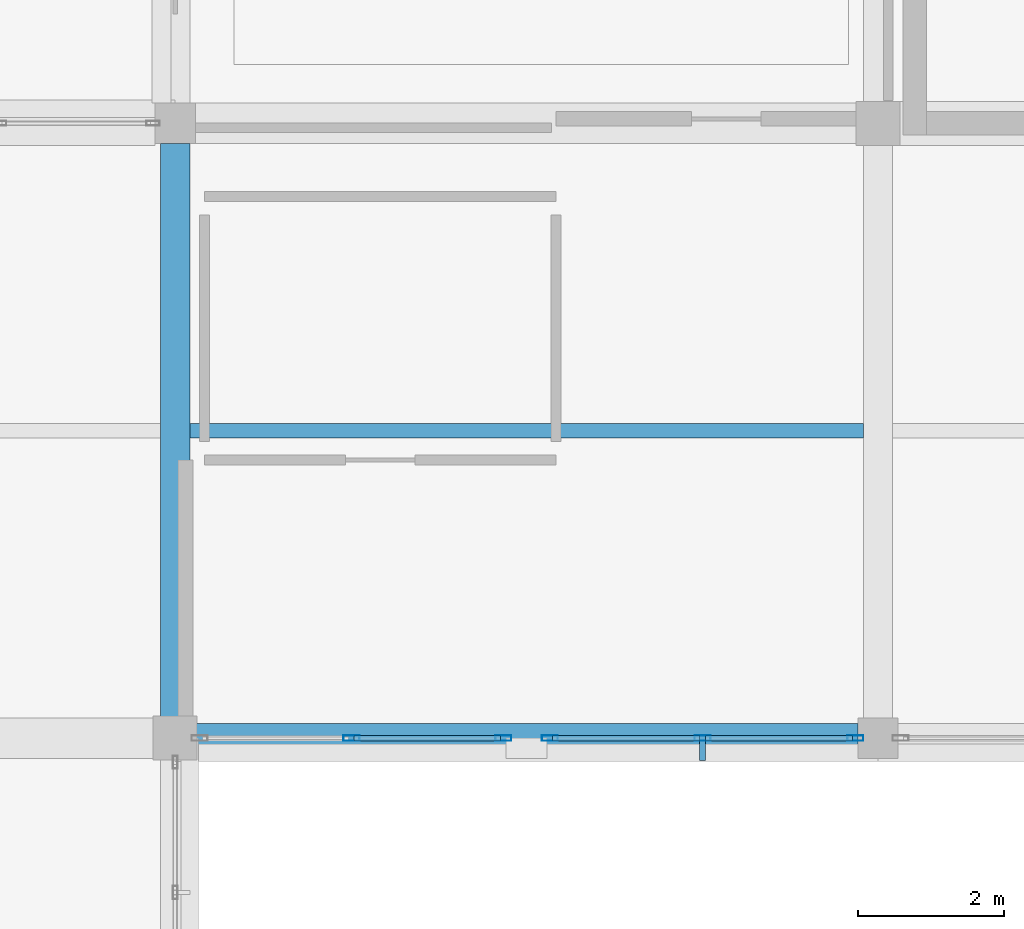
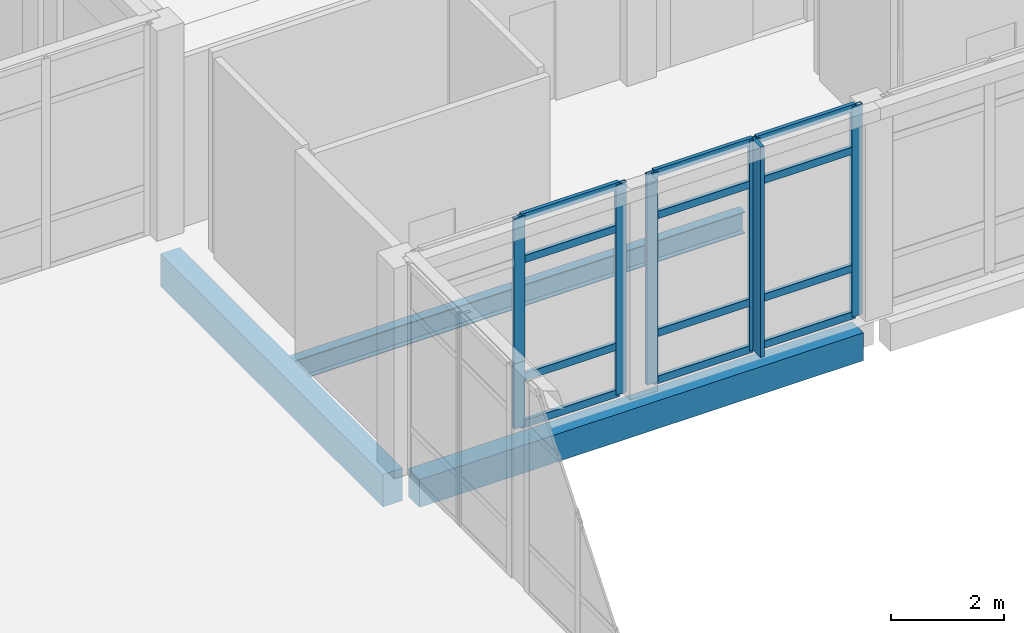
# One storey, part 18 of 88: 18 members, 3 beams, 2 elements without a shape of their own.
"""IFC4 building model written with IfcOpenShell, lengths in metres."""

from ifc_helpers import new_model, si_unit, direction, frame, origin, origin_2d, place, context, subcontext, project, spatial, rectangle, hollow_rectangle, i_section, extrude, material, layer, layer_set, material_profile, profile_set, type_object, element, aggregate, save


model = new_model("IFC4")

# Units and contexts
model_context = context("Model", 3, precision=1e-05, world=origin(), true_north=direction((0.0, 1.0)))
body_context = subcontext(model_context, "Body", "Model", "MODEL_VIEW")
ifc_project = project(units=[si_unit("LENGTHUNIT", "METRE"), si_unit("AREAUNIT", "SQUARE_METRE"), si_unit("VOLUMEUNIT", "CUBIC_METRE"), si_unit("PLANEANGLEUNIT", "RADIAN"), si_unit("MASSUNIT", "GRAM", prefix="KILO")], contexts=[model_context])

# Site, building, storey
site_placement = place(None, origin())
site = spatial("IfcSite", under=ifc_project, at=site_placement, CompositionType="ELEMENT")
building_placement = place(site_placement, origin())
building = spatial("IfcBuilding", under=site, at=building_placement, Name="Lornevale Opera House", CompositionType="ELEMENT")
storey_placement = place(building_placement, frame((0.0, 0.0, 10.199951171875)))
storey = spatial("IfcBuildingStorey", under=building, at=storey_placement, Name="L03", CompositionType="ELEMENT", Elevation=10.199951171875)

# Beams
ifc_material_1 = material(Name="Concrete 35 MPa (CSA A23.1 N)", Category="concrete")
ifc_material_profile_1 = material_profile(ifc_material_1, rectangle(XDim=0.39990234375, YDim=0.699951171875, at=origin_2d()), Name="RC400x700")
ifc_profile_set_1 = profile_set([ifc_material_profile_1], Name="Concrete 35 MPa (CSA A23.1 N)")
beam_type_1 = type_object("IfcBeamType", Name="Concrete Floor Beam 400x700", PredefinedType="USERDEFINED", material=ifc_profile_set_1)
beam_1_placement = place(storey_placement, frame((38.39990234375, 17.074951171875, -0.639892578125), z_axis=(0.0, 1.0, 0.0), x_axis=(-1.0, 0.0, 0.0)))
element("IfcBeam", 1, at=beam_1_placement, inside=storey, type_object=beam_type_1, Name="Concrete Floor Beam 400x700 2259", ObjectType="GIRDER", PredefinedType="USERDEFINED", context=body_context, shape_type="SweptSolid", body=[
    extrude(rectangle(XDim=0.39990234375, YDim=0.699951171875, at=origin_2d()), origin(), (0.0, 0.0, 1.0), 7.85009765625),
])
ifc_material_profile_2 = material_profile(ifc_material_1, rectangle(XDim=0.39990234375, YDim=0.60009765625, at=origin_2d()), Name="RC400x600")
ifc_profile_set_2 = profile_set([ifc_material_profile_2], Name="Concrete 35 MPa (CSA A23.1 N)")
beam_type_2 = type_object("IfcBeamType", Name="Concrete Spandrel Beam 400x600", PredefinedType="SPANDREL", material=ifc_profile_set_2)
beam_2_placement = place(storey_placement, frame((38.675048828125, 16.800048828125, -0.579833984375), z_axis=(1.0, 0.0, 0.0), x_axis=(0.0, 1.0, 0.0)))
element("IfcBeam", 2, at=beam_2_placement, inside=storey, type_object=beam_type_2, Name="Concrete Spandrel Beam 400x600 2095", PredefinedType="SPANDREL", context=body_context, shape_type="SweptSolid", body=[
    extrude(rectangle(XDim=0.39990234375, YDim=0.60009765625, at=origin_2d()), origin(), (0.0, 0.0, 1.0), 9.050048828125),
])

# Curtain wall, members
ifc_material_2 = material(Name="Anodized Oxide-Green Aluminium Framing", Category="aluminium")
ifc_layer = layer(ifc_material_2, 0.219970703125)
ifc_layer_set = layer_set([ifc_layer], Name="Anodized Oxide-Green Aluminium Framing")
curtain_wall_type = type_object("IfcCurtainWallType", Name="Winter-Garden Curtain Wall M1900", PredefinedType="NOTDEFINED", material=ifc_layer_set)
curtain_wall_1_placement = place(storey_placement, origin())
curtain_wall_1 = element("IfcCurtainWall", 3, at=curtain_wall_1_placement, inside=storey, type_object=curtain_wall_type, Name="Winter-Garden Curtain Wall M1900 CW-130", PredefinedType="NOTDEFINED")
ifc_material_profile_3 = material_profile(ifc_material_2, hollow_rectangle(XDim=0.074951171875, YDim=0.219970703125, WallThickness=0.0048828125, at=origin_2d()), Name="ALU75x220x5")
ifc_profile_set_3 = profile_set([ifc_material_profile_3], Name="Anodized Oxide-Green Aluminium Framing")
member_type_1 = type_object("IfcMemberType", Name="Curtain Wall Mullion 75x220", PredefinedType="MULLION", material=ifc_profile_set_3)
member_1_placement = place(storey_placement, frame((47.69140625, 16.800048828125, 0.0), z_axis=(0.0, 0.0, 1.0), x_axis=(0.0, -1.0, 0.0)))
member_1 = element("IfcMember", 4, at=member_1_placement, type_object=member_type_1, Name="Curtain Wall Mullion 75x220 CW2690", PredefinedType="MULLION", context=body_context, shape_type="SweptSolid", body=[
    extrude(hollow_rectangle(XDim=0.074951171875, YDim=0.219970703125, WallThickness=0.0048828125, at=origin_2d()), origin(), (0.0, 0.0, 1.0), 4.5400390625),
])
member_2_placement = place(storey_placement, frame((45.6044921875, 16.800048828125, 0.0), z_axis=(0.0, 0.0, 1.0), x_axis=(0.0, -1.0, 0.0)))
member_2 = element("IfcMember", 5, at=member_2_placement, type_object=member_type_1, Name="Curtain Wall Mullion 75x220 CW2691", PredefinedType="MULLION", context=body_context, shape_type="SweptSolid", body=[
    extrude(hollow_rectangle(XDim=0.074951171875, YDim=0.219970703125, WallThickness=0.0048828125, at=origin_2d()), origin(), (0.0, 0.0, 1.0), 4.5400390625),
])
member_3_placement = place(storey_placement, frame((43.517578125, 16.800048828125, 0.0), z_axis=(0.0, 0.0, 1.0), x_axis=(0.0, -1.0, 0.0)))
member_3 = element("IfcMember", 6, at=member_3_placement, type_object=member_type_1, Name="Curtain Wall Mullion 75x220 CW2692", PredefinedType="MULLION", context=body_context, shape_type="SweptSolid", body=[
    extrude(hollow_rectangle(XDim=0.074951171875, YDim=0.219970703125, WallThickness=0.0048828125, at=origin_2d()), origin(), (0.0, 0.0, 1.0), 4.5400390625),
])

curtain_wall_2_placement = place(storey_placement, origin())
curtain_wall_2 = element("IfcCurtainWall", 7, at=curtain_wall_2_placement, inside=storey, type_object=curtain_wall_type, Name="Winter-Garden Curtain Wall M1900 CW-131", PredefinedType="NOTDEFINED")
member_4_placement = place(storey_placement, frame((42.882568359375, 16.800048828125, 0.0), z_axis=(0.0, 0.0, 1.0), x_axis=(0.0, -1.0, 0.0)))
member_4 = element("IfcMember", 8, at=member_4_placement, type_object=member_type_1, Name="Curtain Wall Mullion 75x220 CW2707", PredefinedType="MULLION", context=body_context, shape_type="SweptSolid", body=[
    extrude(hollow_rectangle(XDim=0.074951171875, YDim=0.219970703125, WallThickness=0.0048828125, at=origin_2d()), origin(), (0.0, 0.0, 1.0), 4.5400390625),
])
member_5_placement = place(storey_placement, frame((40.80810546875, 16.800048828125, 0.0), z_axis=(0.0, 0.0, 1.0), x_axis=(0.0, -1.0, 0.0)))
member_5 = element("IfcMember", 9, at=member_5_placement, type_object=member_type_1, Name="Curtain Wall Mullion 75x220 CW2708", PredefinedType="MULLION", context=body_context, shape_type="SweptSolid", body=[
    extrude(hollow_rectangle(XDim=0.074951171875, YDim=0.219970703125, WallThickness=0.0048828125, at=origin_2d()), origin(), (0.0, 0.0, 1.0), 4.5400390625),
])

# Member
ifc_material_profile_4 = material_profile(ifc_material_2, hollow_rectangle(XDim=0.074951171875, YDim=0.159912109375, WallThickness=0.0048828125, at=origin_2d()), Name="ALU75x160x5")
ifc_profile_set_4 = profile_set([ifc_material_profile_4], Name="Anodized Oxide-Green Aluminium Framing")
member_type_2 = type_object("IfcMemberType", Name="Curtain Wall Transom 75x160", PredefinedType="USERDEFINED", material=ifc_profile_set_4)
member_6_placement = place(storey_placement, frame((47.654052734375, 16.800048828125, 0.03759765625), z_axis=(-1.0, 0.0, 0.0), x_axis=(0.0, -1.0, 0.0)))
member_6 = element("IfcMember", 10, at=member_6_placement, type_object=member_type_2, Name="Curtain Wall Transom 75x160 CW2693", ObjectType="TRANSOM", PredefinedType="USERDEFINED", context=body_context, shape_type="SweptSolid", body=[
    extrude(hollow_rectangle(XDim=0.074951171875, YDim=0.159912109375, WallThickness=0.0048828125, at=origin_2d()), origin(), (0.0, 0.0, 1.0), 2.011962890625),
])

member_7_placement = place(storey_placement, frame((47.654052734375, 16.800048828125, 1.050048828125), z_axis=(-1.0, 0.0, 0.0), x_axis=(0.0, -1.0, 0.0)))
member_7 = element("IfcMember", 11, at=member_7_placement, type_object=member_type_2, Name="Curtain Wall Transom 75x160 CW2694", ObjectType="TRANSOM", PredefinedType="USERDEFINED", context=body_context, shape_type="SweptSolid", body=[
    extrude(hollow_rectangle(XDim=0.074951171875, YDim=0.159912109375, WallThickness=0.0048828125, at=origin_2d()), origin(), (0.0, 0.0, 1.0), 2.011962890625),
])

member_8_placement = place(storey_placement, frame((47.654052734375, 16.800048828125, 3.590087890625), z_axis=(-1.0, 0.0, 0.0), x_axis=(0.0, -1.0, 0.0)))
member_8 = element("IfcMember", 12, at=member_8_placement, type_object=member_type_2, Name="Curtain Wall Transom 75x160 CW2695", ObjectType="TRANSOM", PredefinedType="USERDEFINED", context=body_context, shape_type="SweptSolid", body=[
    extrude(hollow_rectangle(XDim=0.074951171875, YDim=0.159912109375, WallThickness=0.0048828125, at=origin_2d()), origin(), (0.0, 0.0, 1.0), 2.011962890625),
])

member_9_placement = place(storey_placement, frame((47.654052734375, 16.800048828125, 4.50244140625), z_axis=(-1.0, 0.0, 0.0), x_axis=(0.0, -1.0, 0.0)))
member_9 = element("IfcMember", 13, at=member_9_placement, type_object=member_type_2, Name="Curtain Wall Transom 75x160 CW2696", ObjectType="TRANSOM", PredefinedType="USERDEFINED", context=body_context, shape_type="SweptSolid", body=[
    extrude(hollow_rectangle(XDim=0.074951171875, YDim=0.159912109375, WallThickness=0.0048828125, at=origin_2d()), origin(), (0.0, 0.0, 1.0), 2.011962890625),
])

member_10_placement = place(storey_placement, frame((45.56689453125, 16.800048828125, 0.03759765625), z_axis=(-1.0, 0.0, 0.0), x_axis=(0.0, -1.0, 0.0)))
member_10 = element("IfcMember", 14, at=member_10_placement, type_object=member_type_2, Name="Curtain Wall Transom 75x160 CW2700", ObjectType="TRANSOM", PredefinedType="USERDEFINED", context=body_context, shape_type="SweptSolid", body=[
    extrude(hollow_rectangle(XDim=0.074951171875, YDim=0.159912109375, WallThickness=0.0048828125, at=origin_2d()), origin(), (0.0, 0.0, 1.0), 2.011962890625),
])

member_11_placement = place(storey_placement, frame((45.56689453125, 16.800048828125, 1.050048828125), z_axis=(-1.0, 0.0, 0.0), x_axis=(0.0, -1.0, 0.0)))
member_11 = element("IfcMember", 15, at=member_11_placement, type_object=member_type_2, Name="Curtain Wall Transom 75x160 CW2701", ObjectType="TRANSOM", PredefinedType="USERDEFINED", context=body_context, shape_type="SweptSolid", body=[
    extrude(hollow_rectangle(XDim=0.074951171875, YDim=0.159912109375, WallThickness=0.0048828125, at=origin_2d()), origin(), (0.0, 0.0, 1.0), 2.011962890625),
])

member_12_placement = place(storey_placement, frame((45.56689453125, 16.800048828125, 3.590087890625), z_axis=(-1.0, 0.0, 0.0), x_axis=(0.0, -1.0, 0.0)))
member_12 = element("IfcMember", 16, at=member_12_placement, type_object=member_type_2, Name="Curtain Wall Transom 75x160 CW2702", ObjectType="TRANSOM", PredefinedType="USERDEFINED", context=body_context, shape_type="SweptSolid", body=[
    extrude(hollow_rectangle(XDim=0.074951171875, YDim=0.159912109375, WallThickness=0.0048828125, at=origin_2d()), origin(), (0.0, 0.0, 1.0), 2.011962890625),
])

member_13_placement = place(storey_placement, frame((45.56689453125, 16.800048828125, 4.50244140625), z_axis=(-1.0, 0.0, 0.0), x_axis=(0.0, -1.0, 0.0)))
member_13 = element("IfcMember", 17, at=member_13_placement, type_object=member_type_2, Name="Curtain Wall Transom 75x160 CW2703", ObjectType="TRANSOM", PredefinedType="USERDEFINED", context=body_context, shape_type="SweptSolid", body=[
    extrude(hollow_rectangle(XDim=0.074951171875, YDim=0.159912109375, WallThickness=0.0048828125, at=origin_2d()), origin(), (0.0, 0.0, 1.0), 2.011962890625),
])

member_14_placement = place(storey_placement, frame((42.844970703125, 16.800048828125, 0.03759765625), z_axis=(-1.0, 0.0, 0.0), x_axis=(0.0, -1.0, 0.0)))
member_14 = element("IfcMember", 18, at=member_14_placement, type_object=member_type_2, Name="Curtain Wall Transom 75x160 CW2710", ObjectType="TRANSOM", PredefinedType="USERDEFINED", context=body_context, shape_type="SweptSolid", body=[
    extrude(hollow_rectangle(XDim=0.074951171875, YDim=0.159912109375, WallThickness=0.0048828125, at=origin_2d()), origin(), (0.0, 0.0, 1.0), 1.99951171875),
])

member_15_placement = place(storey_placement, frame((42.844970703125, 16.800048828125, 1.050048828125), z_axis=(-1.0, 0.0, 0.0), x_axis=(0.0, -1.0, 0.0)))
member_15 = element("IfcMember", 19, at=member_15_placement, type_object=member_type_2, Name="Curtain Wall Transom 75x160 CW2711", ObjectType="TRANSOM", PredefinedType="USERDEFINED", context=body_context, shape_type="SweptSolid", body=[
    extrude(hollow_rectangle(XDim=0.074951171875, YDim=0.159912109375, WallThickness=0.0048828125, at=origin_2d()), origin(), (0.0, 0.0, 1.0), 1.99951171875),
])

member_16_placement = place(storey_placement, frame((42.844970703125, 16.800048828125, 3.590087890625), z_axis=(-1.0, 0.0, 0.0), x_axis=(0.0, -1.0, 0.0)))
member_16 = element("IfcMember", 20, at=member_16_placement, type_object=member_type_2, Name="Curtain Wall Transom 75x160 CW2712", ObjectType="TRANSOM", PredefinedType="USERDEFINED", context=body_context, shape_type="SweptSolid", body=[
    extrude(hollow_rectangle(XDim=0.074951171875, YDim=0.159912109375, WallThickness=0.0048828125, at=origin_2d()), origin(), (0.0, 0.0, 1.0), 1.99951171875),
])

member_17_placement = place(storey_placement, frame((42.844970703125, 16.800048828125, 4.50244140625), z_axis=(-1.0, 0.0, 0.0), x_axis=(0.0, -1.0, 0.0)))
member_17 = element("IfcMember", 21, at=member_17_placement, type_object=member_type_2, Name="Curtain Wall Transom 75x160 CW2713", ObjectType="TRANSOM", PredefinedType="USERDEFINED", context=body_context, shape_type="SweptSolid", body=[
    extrude(hollow_rectangle(XDim=0.074951171875, YDim=0.159912109375, WallThickness=0.0048828125, at=origin_2d()), origin(), (0.0, 0.0, 1.0), 1.99951171875),
])

aggregate(curtain_wall_2, [member_4, member_5, member_14, member_15, member_16, member_17])

ifc_material_3 = material(Name="Architectural Bronze Solar Louvre Alloy", Category="metal")
ifc_material_profile_5 = material_profile(ifc_material_3, rectangle(XDim=0.080078125, YDim=0.360107421875, at=origin_2d()), Name="FIN80x360")
ifc_profile_set_5 = profile_set([ifc_material_profile_5], Name="Architectural Bronze Solar Louvre Alloy")
member_type_3 = type_object("IfcMemberType", Name="Solar Shading Fin 80x360", PredefinedType="USERDEFINED", material=ifc_profile_set_5)
member_18_placement = place(storey_placement, frame((45.6044921875, 16.674072265625, 0.0), z_axis=(0.0, 0.0, 1.0), x_axis=(-1.0, 0.0, 0.0)))
member_18 = element("IfcMember", 22, at=member_18_placement, type_object=member_type_3, Name="Solar Shading Fin 80x360 FIN0052", ObjectType="SOLAR FIN", PredefinedType="USERDEFINED", context=body_context, shape_type="SweptSolid", body=[
    extrude(rectangle(XDim=0.080078125, YDim=0.360107421875, at=origin_2d()), origin(), (0.0, 0.0, 1.0), 4.5400390625),
])

aggregate(curtain_wall_1, [member_1, member_2, member_3, member_6, member_7, member_8, member_9, member_10, member_11, member_12, member_13, member_18])

# Beam
ifc_material_4 = material(Name="Structural Steel CSA G40.21 Grade 350W (350 MPa)", Category="steel")
ifc_material_profile_6 = material_profile(ifc_material_4, i_section(OverallWidth=0.19189453125, OverallDepth=0.462890625, WebThickness=0.010498046875, FlangeThickness=0.017578125, at=origin_2d()), Name="W460x89")
ifc_profile_set_6 = profile_set([ifc_material_profile_6], Name="Structural Steel CSA G40.21 Grade 350W (350 MPa)")
beam_type_3 = type_object("IfcBeamType", Name="Steel Floor Joist W460x89", PredefinedType="JOIST", material=ifc_profile_set_6)
beam_3_placement = place(storey_placement, frame((38.60009765625, 21.0, -0.536376953125), z_axis=(1.0, 0.0, 0.0), x_axis=(0.0, 1.0, 0.0)))
element("IfcBeam", 23, at=beam_3_placement, inside=storey, type_object=beam_type_3, Name="Steel Floor Joist W460x89 2389", PredefinedType="JOIST", context=body_context, shape_type="SweptSolid", body=[
    extrude(i_section(OverallWidth=0.19189453125, OverallDepth=0.462890625, WebThickness=0.010498046875, FlangeThickness=0.017578125, at=origin_2d()), origin(), (0.0, 0.0, 1.0), 9.199951171875),
])

save(model, "model.ifc")
